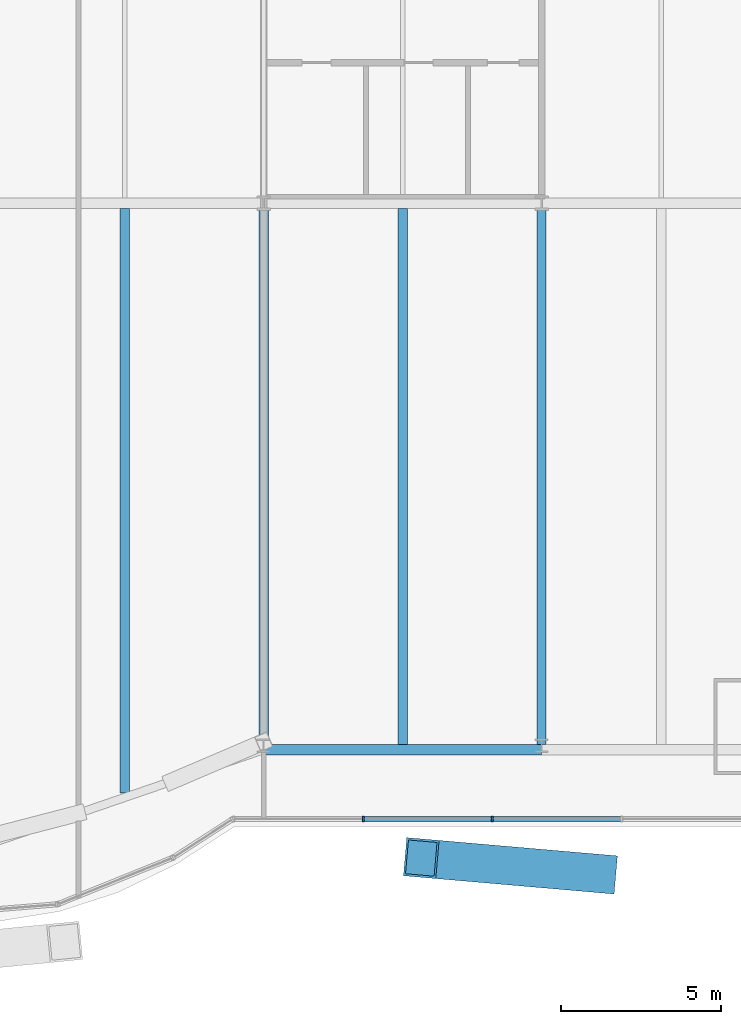
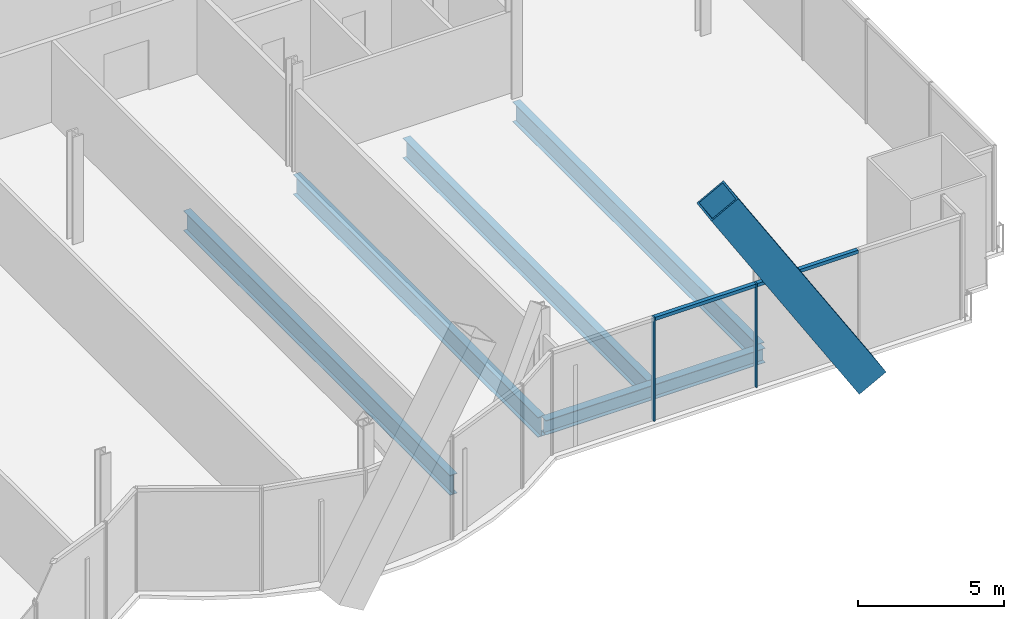
# One storey, part 9 of 23: 5 beams, 5 members, 1 element without a shape of its own.
"""IFC4 building model written with IfcOpenShell, lengths in metres."""

from ifc_helpers import new_model, si_unit, direction, frame, origin, origin_2d, place, context, subcontext, project, spatial, rectangle, hollow_rectangle, i_section, extrude, material, material_profile, profile_set, type_object, element, aggregate, save


model = new_model("IFC4")

# Units and contexts
model_context = context("Model", 3, precision=1e-05, world=origin(), true_north=direction((0.0, 1.0)))
body_context = subcontext(model_context, "Body", "Model", "MODEL_VIEW")
ifc_project = project(units=[si_unit("LENGTHUNIT", "METRE"), si_unit("AREAUNIT", "SQUARE_METRE"), si_unit("VOLUMEUNIT", "CUBIC_METRE"), si_unit("PLANEANGLEUNIT", "RADIAN"), si_unit("MASSUNIT", "GRAM", prefix="KILO")], contexts=[model_context])

# Site, building, storey
site_placement = place(None, origin())
site = spatial("IfcSite", under=ifc_project, at=site_placement, CompositionType="ELEMENT")
building_placement = place(site_placement, origin())
building = spatial("IfcBuilding", under=site, at=building_placement, Name="Bicima Exchange Tower", CompositionType="ELEMENT")
storey_placement = place(building_placement, frame((0.0, 0.0, 44.0)))
storey = spatial("IfcBuildingStorey", under=building, at=storey_placement, Name="L08", CompositionType="ELEMENT", Elevation=44.0)

# Member
ifc_material_1 = material(Name="Steel ASTM A572 Gr 50", Category="steel")
ifc_material_profile_1 = material_profile(ifc_material_1, hollow_rectangle(XDim=1.199951171875, YDim=1.199951171875, WallThickness=0.070068359375, at=origin_2d()))
ifc_profile_set_1 = profile_set([ifc_material_profile_1], Name="Steel ASTM A572 Gr 50")
member_type_1 = type_object("IfcMemberType", Name="Exo mega brace BOX 1200x1200x70", PredefinedType="BRACE", material=ifc_profile_set_1)
member_1_placement = place(storey_placement, frame((27.916748046875, -42.99169921875, 0.375), z_axis=(-0.529804339421, 0.045914831689, 0.846876136257), x_axis=(-0.086340124838, -0.996265718994, 0.0)))
element("IfcMember", 1, at=member_1_placement, inside=storey, type_object=member_type_1, Name="Exo mega brace front", PredefinedType="BRACE", context=body_context, shape_type="SweptSolid", body=[
    extrude(hollow_rectangle(XDim=1.199951171875, YDim=1.199951171875, WallThickness=0.070068359375, at=origin_2d()), origin(), (0.0, 0.0, 1.0), 10.538818359375),
])

# Beams
ifc_material_2 = material(Name="Steel ASTM A992 Gr 50", Category="steel")
ifc_material_profile_2 = material_profile(ifc_material_2, i_section(OverallWidth=0.2919921875, OverallDepth=0.835693359375, WebThickness=0.013916015625, FlangeThickness=0.018798828125, at=origin_2d()))
ifc_profile_set_2 = profile_set([ifc_material_profile_2], Name="Steel ASTM A992 Gr 50")
beam_type_1 = type_object("IfcBeamType", Name="Floor beam W33x118", PredefinedType="JOIST", material=ifc_profile_set_2)
beam_1_placement = place(storey_placement, frame((13.050048828125, -22.16259765625, -0.56787109375), z_axis=(0.0, -1.0, 0.0), x_axis=(1.0, 0.0, 0.0)))
element("IfcBeam", 2, at=beam_1_placement, inside=storey, type_object=beam_type_1, Name="Floor beam", PredefinedType="JOIST", context=body_context, shape_type="SweptSolid", body=[
    extrude(i_section(OverallWidth=0.2919921875, OverallDepth=0.835693359375, WebThickness=0.013916015625, FlangeThickness=0.018798828125, at=origin_2d()), origin(), (0.0, 0.0, 1.0), 18.309326171875),
])
beam_2_placement = place(storey_placement, frame((17.39990234375, -22.16259765625, -0.56787109375), z_axis=(0.0, -1.0, 0.0), x_axis=(1.0, 0.0, 0.0)))
element("IfcBeam", 3, at=beam_2_placement, inside=storey, type_object=beam_type_1, Name="Floor beam", PredefinedType="JOIST", context=body_context, shape_type="SweptSolid", body=[
    extrude(i_section(OverallWidth=0.2919921875, OverallDepth=0.835693359375, WebThickness=0.013916015625, FlangeThickness=0.018798828125, at=origin_2d()), origin(), (0.0, 0.0, 1.0), 16.813720703125),
])
for number, where, z_axis, x_axis, name in (
    (4, (21.75, -22.16259765625, -0.56787109375), (0.0, -1.0, 0.0), (1.0, 0.0, 0.0), "Floor beam"),
    (5, (26.10009765625, -22.16259765625, -0.56787109375), (0.0, -1.0, 0.0), (1.0, 0.0, 0.0), "Floor beam"),
):
    element("IfcBeam", number, at=place(storey_placement, frame(where, z_axis=z_axis, x_axis=x_axis)), inside=storey, type_object=beam_type_1, Name=name, PredefinedType="JOIST", context=body_context, shape_type="SweptSolid", body=[
        extrude(i_section(OverallWidth=0.2919921875, OverallDepth=0.835693359375, WebThickness=0.013916015625, FlangeThickness=0.018798828125, at=origin_2d()), origin(), (0.0, 0.0, 1.0), 16.786865234375),
    ])
ifc_material_profile_3 = material_profile(ifc_material_2, i_section(OverallWidth=0.3251953125, OverallDepth=0.612060546875, WebThickness=0.0126953125, FlangeThickness=0.01904296875, at=origin_2d()))
ifc_profile_set_3 = profile_set([ifc_material_profile_3], Name="Steel ASTM A992 Gr 50")
beam_type_2 = type_object("IfcBeamType", Name="Front girder W24x104", PredefinedType="BEAM", material=ifc_profile_set_3)
beam_3_placement = place(storey_placement, frame((17.39990234375, -39.112060546875, -0.4560546875), z_axis=(1.0, 0.0, 0.0), x_axis=(0.0, 1.0, 0.0)))
element("IfcBeam", 6, at=beam_3_placement, inside=storey, type_object=beam_type_2, Name="Front girder", PredefinedType="BEAM", context=body_context, shape_type="SweptSolid", body=[
    extrude(i_section(OverallWidth=0.3251953125, OverallDepth=0.612060546875, WebThickness=0.0126953125, FlangeThickness=0.01904296875, at=origin_2d()), origin(), (0.0, 0.0, 1.0), 8.7001953125),
])

# Curtain wall, members
ifc_material_3 = material(Name="Anodised bronze aluminium", Category="aluminium")
curtain_wall_type = type_object("IfcCurtainWallType", Name="Front glass wall", PredefinedType="NOTDEFINED", material=ifc_material_3)
curtain_wall_placement = place(storey_placement, origin())
curtain_wall = element("IfcCurtainWall", 7, at=curtain_wall_placement, inside=storey, type_object=curtain_wall_type, Name="Front glass wall L08 run 16", PredefinedType="NOTDEFINED")
ifc_material_profile_4 = material_profile(ifc_material_3, rectangle(XDim=0.159912109375, YDim=0.06005859375, at=origin_2d()))
ifc_profile_set_4 = profile_set([ifc_material_profile_4], Name="Anodised bronze aluminium")
member_type_2 = type_object("IfcMemberType", Name="Front glass wall mullion 60 x 160", PredefinedType="MULLION", material=ifc_profile_set_4)
member_2_placement = place(storey_placement, frame((20.51171875, -41.281982421875, 0.0), z_axis=(0.0, 0.0, 1.0), x_axis=(0.0, 1.0, 0.0)))
member_2 = element("IfcMember", 8, at=member_2_placement, type_object=member_type_2, Name="Front glass wall mullion 2", PredefinedType="MULLION", context=body_context, shape_type="SweptSolid", body=[
    extrude(rectangle(XDim=0.159912109375, YDim=0.06005859375, at=origin_2d()), origin(), (0.0, 0.0, 1.0), 4.35009765625),
])
member_3_placement = place(storey_placement, frame((24.56103515625, -41.281982421875, 0.0), z_axis=(0.0, 0.0, 1.0), x_axis=(0.0, 1.0, 0.0)))
member_3 = element("IfcMember", 9, at=member_3_placement, type_object=member_type_2, Name="Front glass wall mullion 3", PredefinedType="MULLION", context=body_context, shape_type="SweptSolid", body=[
    extrude(rectangle(XDim=0.159912109375, YDim=0.06005859375, at=origin_2d()), origin(), (0.0, 0.0, 1.0), 4.35009765625),
])
ifc_material_profile_5 = material_profile(ifc_material_3, rectangle(XDim=0.159912109375, YDim=0.139892578125, at=origin_2d()))
ifc_profile_set_5 = profile_set([ifc_material_profile_5], Name="Anodised bronze aluminium")
member_type_3 = type_object("IfcMemberType", Name="Front glass wall transom 140 x 160", PredefinedType="USERDEFINED", material=ifc_profile_set_5)
member_4_placement = place(storey_placement, frame((20.54150390625, -41.281982421875, 4.280029296875), z_axis=(1.0, 0.0, 0.0), x_axis=(0.0, 1.0, 0.0)))
member_4 = element("IfcMember", 10, at=member_4_placement, type_object=member_type_3, Name="Front glass wall transom 2.1", ObjectType="TRANSOM", PredefinedType="USERDEFINED", context=body_context, shape_type="SweptSolid", body=[
    extrude(rectangle(XDim=0.159912109375, YDim=0.139892578125, at=origin_2d()), origin(), (0.0, 0.0, 1.0), 3.989501953125),
])
member_5_placement = place(storey_placement, frame((24.591064453125, -41.281982421875, 4.280029296875), z_axis=(1.0, 0.0, 0.0), x_axis=(0.0, 1.0, 0.0)))
member_5 = element("IfcMember", 11, at=member_5_placement, type_object=member_type_3, Name="Front glass wall transom 3.1", ObjectType="TRANSOM", PredefinedType="USERDEFINED", context=body_context, shape_type="SweptSolid", body=[
    extrude(rectangle(XDim=0.159912109375, YDim=0.139892578125, at=origin_2d()), origin(), (0.0, 0.0, 1.0), 3.989501953125),
])
aggregate(curtain_wall, [member_2, member_3, member_4, member_5])

save(model, "model.ifc")
